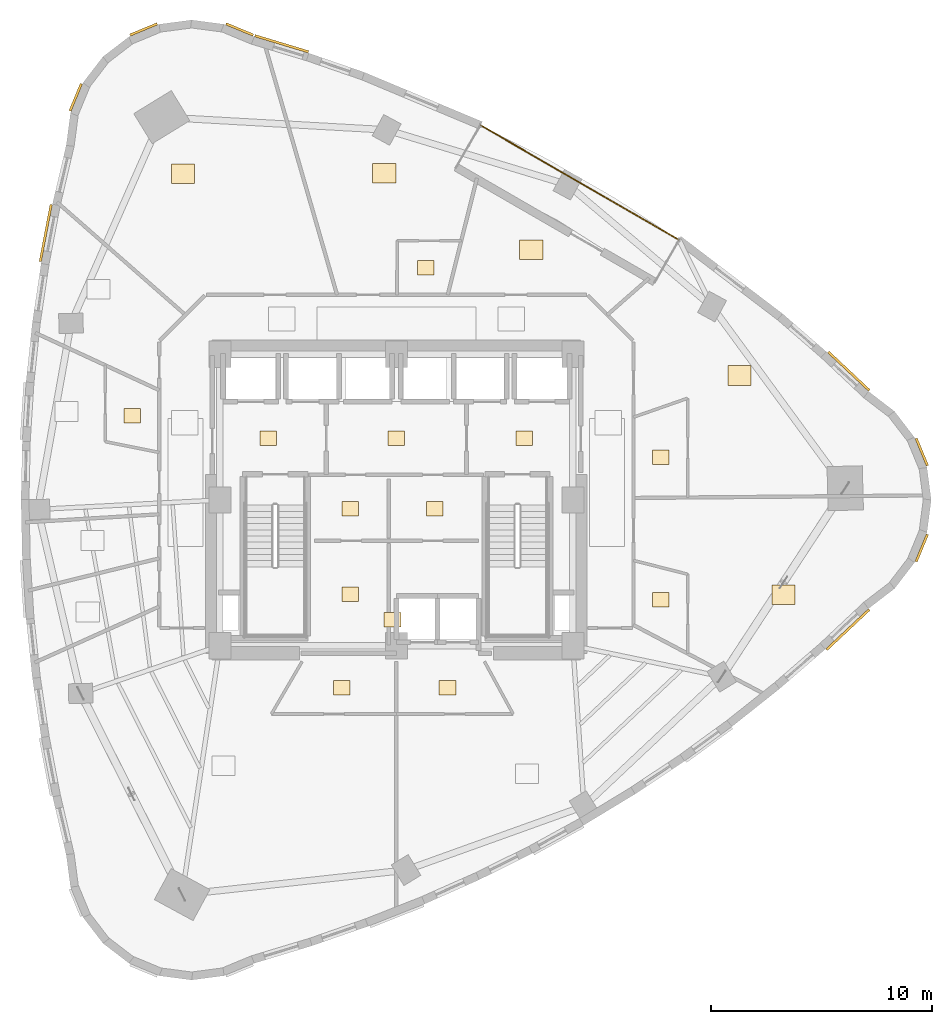
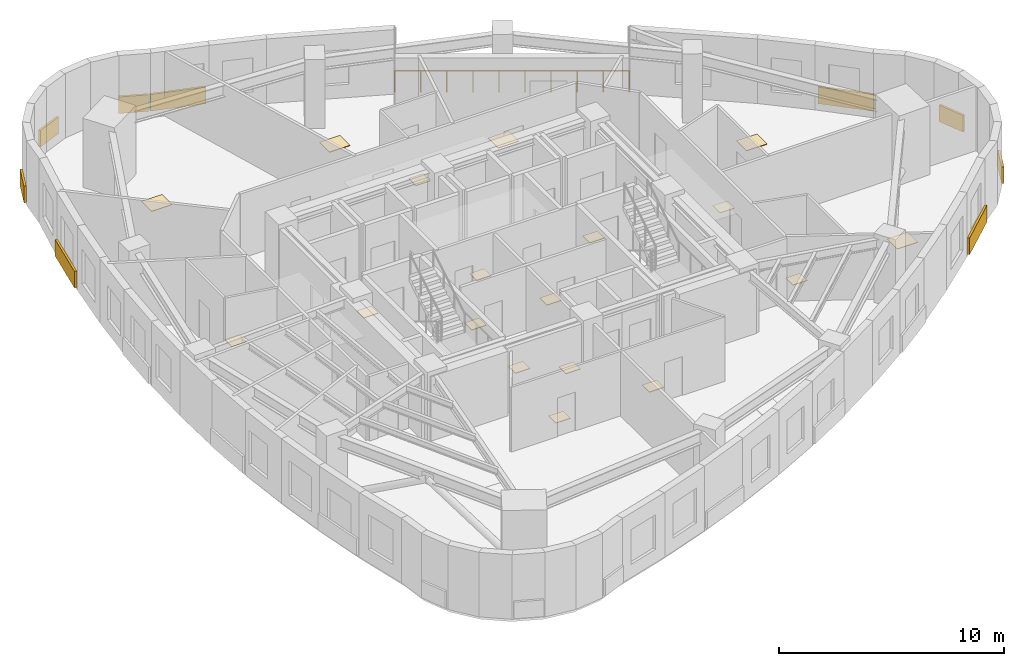
# One storey, part 14 of 14: 27 coverings, 1 railing.
"""IFC4 building model written with IfcOpenShell, lengths in metres."""

import ifcopenshell
import ifcopenshell.guid

model = None  # the IFC model being written
_history = None  # IfcOwnerHistory: only IFC2X3 demands one
_inside = {}  # id of a spatial element -> (the spatial element, [elements in it])
_under = {}  # id of a project, library or spatial element -> (it, [spatial elements below it])
_declared = {}  # id of a project -> (the project, [libraries it declares])
_typed = {}  # id of a type object -> (the type object, [elements of that type])
_made_of = {}  # id of a material, layer set ... -> (it, [elements and type objects made of it])


def new_model(schema):
    """Start an empty IFC model of exactly this schema.

    Asked for "IFC4X3", IfcOpenShell would pick the latest addendum, in which some entities
    have other attributes; the version numbers below select the first issue.
    IFC2X3 requires an IfcOwnerHistory on every rooted entity: one is made here for all.
    """
    global model, _history
    if schema == "IFC4X3":
        model = ifcopenshell.file(schema_version=(4, 3, 0, 0))
    else:
        model = ifcopenshell.file(schema=schema)
    _inside.clear()
    _under.clear()
    _declared.clear()
    _typed.clear()
    _made_of.clear()
    _history = None
    if model.schema == "IFC2X3":
        org = make("IfcOrganization", Name="unknown")
        user = make(
            "IfcPersonAndOrganization",
            ThePerson=make("IfcPerson", FamilyName="unknown"),
            TheOrganization=org,
        )
        app = make(
            "IfcApplication",
            ApplicationDeveloper=org,
            Version="unknown",
            ApplicationFullName="unknown",
            ApplicationIdentifier="unknown",
        )
        _history = make(
            "IfcOwnerHistory",
            OwningUser=user,
            OwningApplication=app,
            ChangeAction="ADDED",
            CreationDate=0,
        )
    return model


def make(cls, **values):
    """One entity of the class cls with the attributes given. An attribute that is None is left unset."""
    return model.create_entity(
        cls, **{name: value for name, value in values.items() if value is not None}
    )


def rooted(cls, **values):
    """An entity with a GlobalId (a new one), such as an element, a storey or a relation."""
    return make(cls, GlobalId=ifcopenshell.guid.new(), OwnerHistory=_history, **values)


def si_unit(unit_type, name, prefix=None):
    """IfcSIUnit, for example si_unit("LENGTHUNIT", "METRE", prefix="MILLI")."""
    return make("IfcSIUnit", UnitType=unit_type, Prefix=prefix, Name=name)


def assignment(units):
    """IfcUnitAssignment: the units of a project."""
    return None if units is None else make("IfcUnitAssignment", Units=units)


def point(xyz):
    """IfcCartesianPoint."""
    return None if xyz is None else make("IfcCartesianPoint", Coordinates=xyz)


def direction(xyz):
    """IfcDirection."""
    return None if xyz is None else make("IfcDirection", DirectionRatios=xyz)


def frame(location, z_axis=None, x_axis=None):
    """IfcAxis2Placement3D, a coordinate frame: its origin and axes. An axis left out is left unset."""
    return make(
        "IfcAxis2Placement3D",
        Location=point(location),
        Axis=direction(z_axis),
        RefDirection=direction(x_axis),
    )


def frame_2d(location, x_axis=None):
    """IfcAxis2Placement2D, a coordinate frame in the plane: its origin and x axis."""
    return make(
        "IfcAxis2Placement2D", Location=point(location), RefDirection=direction(x_axis)
    )


def origin():
    """The frame at (0, 0, 0) with its axes left unset."""
    return frame((0.0, 0.0, 0.0))


def origin_2d():
    """The frame at (0, 0) in the plane with its x axis left unset."""
    return frame_2d((0.0, 0.0))


def place(relative_to, where):
    """IfcLocalPlacement: puts the frame where relative to a parent placement (None: the world)."""
    return make(
        "IfcLocalPlacement", PlacementRelTo=relative_to, RelativePlacement=where
    )


def context(
    kind, dimensions, precision=None, world=None, true_north=None, identifier=None
):
    """IfcGeometricRepresentationContext, for example the 3D "Model" context."""
    return make(
        "IfcGeometricRepresentationContext",
        ContextIdentifier=identifier,
        ContextType=kind,
        CoordinateSpaceDimension=dimensions,
        Precision=precision,
        WorldCoordinateSystem=world,
        TrueNorth=true_north,
    )


def subcontext(parent, identifier, kind, view, scale=None):
    """IfcGeometricRepresentationSubContext, for example "Body" below "Model"."""
    return make(
        "IfcGeometricRepresentationSubContext",
        ContextIdentifier=identifier,
        ContextType=kind,
        ParentContext=parent,
        TargetScale=scale,
        TargetView=view,
    )


def project(units=None, contexts=None):
    """IfcProject with its units and contexts."""
    return rooted(
        "IfcProject",
        Name="project",
        RepresentationContexts=contexts,
        UnitsInContext=assignment(units),
    )


def spatial(cls, under=None, at=None, **own):
    """A site, building, storey or space (cls), placed at a placement, below another one or the project."""
    s = rooted(cls, ObjectPlacement=at, **own)
    if under is not None:
        _under.setdefault(under.id(), (under, []))[1].append(s)
    return s


def profile(cls, at=None, kind="AREA", **sizes):
    """A parametric profile (cls). Its sizes go by their IFC names, for example OverallWidth=200.0."""
    return make(cls, ProfileType=kind, Position=at, **sizes)


def rectangle(**sizes):
    """IfcRectangleProfileDef."""
    return profile("IfcRectangleProfileDef", **sizes)


def circle(**sizes):
    """IfcCircleProfileDef."""
    return profile("IfcCircleProfileDef", **sizes)


def extrude(swept, where, along, depth):
    """IfcExtrudedAreaSolid: the profile swept, set in the frame where, extruded along a direction by depth."""
    return make(
        "IfcExtrudedAreaSolid",
        SweptArea=swept,
        Position=where,
        ExtrudedDirection=direction(along),
        Depth=depth,
    )


def shape(context_of_items, identifier, shape_type, items):
    """IfcShapeRepresentation: the items that make up one representation, for example the "Body"."""
    return make(
        "IfcShapeRepresentation",
        ContextOfItems=context_of_items,
        RepresentationIdentifier=identifier,
        RepresentationType=shape_type,
        Items=items,
    )


def material(Name=None, Category=None):
    """IfcMaterial."""
    return make("IfcMaterial", Name=Name, Category=Category)


def layer(
    of_material, thickness, ventilated=None, Name=None, Category=None, Priority=None
):
    """IfcMaterialLayer: one layer of a wall or slab, of a material (None: an air gap)."""
    return make(
        "IfcMaterialLayer",
        Material=of_material,
        LayerThickness=thickness,
        IsVentilated=ventilated,
        Name=Name,
        Category=Category,
        Priority=Priority,
    )


def layer_set(layers, Name=None):
    """IfcMaterialLayerSet."""
    return make("IfcMaterialLayerSet", MaterialLayers=layers, LayerSetName=Name)


def made_of(thing, what):
    """Note that an element or type object is made of a material, layer set ...; save() writes the relation."""
    if what is not None:
        _made_of.setdefault(what.id(), (what, []))[1].append(thing)
    return thing


def type_object(cls, material=None, **own):
    """A type object (cls), such as IfcWallType, which elements share."""
    return made_of(rooted(cls, **own), material)


def element(
    cls,
    number,
    at=None,
    inside=None,
    cuts=None,
    type_object=None,
    material=None,
    context=None,
    identifier="Body",
    shape_type=None,
    held_by="IfcProductDefinitionShape",
    body=None,
    shapes=None,
    **own,
):
    """One element of the class cls, such as IfcWall. Its Tag is "e" and its number.

    at: its placement. inside: the storey or other place that contains it. cuts: it is an
    opening in that element (IfcRelVoidsElement). A single representation is given by context,
    identifier, shape_type and body (its items); several are given by shapes. held_by: the class
    of the entity that holds the representations. save() writes the other relations.
    """
    e = rooted(cls, Tag="e%d" % number, ObjectPlacement=at, **own)
    if body is not None:
        shapes = [shape(context, identifier, shape_type, body)]
    if shapes is not None:
        e.Representation = make(held_by, Representations=shapes)
    if inside is not None:
        _inside.setdefault(inside.id(), (inside, []))[1].append(e)
    if cuts is not None:
        rooted(
            "IfcRelVoidsElement", RelatingBuildingElement=cuts, RelatedOpeningElement=e
        )
    if type_object is not None:
        _typed.setdefault(type_object.id(), (type_object, []))[1].append(e)
    return made_of(e, material)


def aggregate(whole, parts):
    """IfcRelAggregates: a whole, such as a stair, and the parts it consists of."""
    return rooted("IfcRelAggregates", RelatingObject=whole, RelatedObjects=parts)


def save(model, path):
    """Write the relations noted so far, then the file.

    IfcRelAggregates (storeys below a building ...), IfcRelContainedInSpatialStructure (elements
    in a storey), IfcRelDefinesByType, IfcRelAssociatesMaterial and IfcRelDeclares: one each for
    every whole, place, type object, material and project.
    """
    for whole, parts in _under.values():
        aggregate(whole, parts)
    for where, things in _inside.values():
        rooted(
            "IfcRelContainedInSpatialStructure",
            RelatedElements=things,
            RelatingStructure=where,
        )
    for kind, things in _typed.values():
        rooted("IfcRelDefinesByType", RelatedObjects=things, RelatingType=kind)
    for what, things in _made_of.values():
        rooted("IfcRelAssociatesMaterial", RelatedObjects=things, RelatingMaterial=what)
    for by, libraries in _declared.values():
        rooted("IfcRelDeclares", RelatingContext=by, RelatedDefinitions=libraries)
    model.write(path)


model = new_model("IFC4")

# Units and contexts
model_context = context("Model", 3, precision=1e-05, world=origin(), true_north=direction((0.0, 1.0)))
body_context = subcontext(model_context, "Body", "Model", "MODEL_VIEW")
ifc_project = project(units=[si_unit("LENGTHUNIT", "METRE"), si_unit("AREAUNIT", "SQUARE_METRE"), si_unit("VOLUMEUNIT", "CUBIC_METRE"), si_unit("PLANEANGLEUNIT", "RADIAN"), si_unit("MASSUNIT", "GRAM", prefix="KILO")], contexts=[model_context])

# Site, building, storey
site_placement = place(None, origin())
site = spatial("IfcSite", under=ifc_project, at=site_placement, CompositionType="ELEMENT")
building_placement = place(site_placement, origin())
building = spatial("IfcBuilding", under=site, at=building_placement, Name="Ndelora Gate Hotel", CompositionType="ELEMENT")
storey_placement = place(building_placement, frame((0.0, 0.0, 119.75)))
storey = spatial("IfcBuildingStorey", under=building, at=storey_placement, Name="L29", CompositionType="ELEMENT", Elevation=119.75)

# Coverings
ifc_material_1 = material(Name="Terracotta Fired Clay Brick Slip Cladding", Category="masonry")
ifc_layer_1 = layer(ifc_material_1, 0.110107421875)
ifc_layer_set_1 = layer_set([ifc_layer_1], Name="Terracotta Fired Clay Brick Slip Cladding")
covering_type_1 = type_object("IfcCoveringType", Name="COV-CLAD-BRK", PredefinedType="CLADDING", material=ifc_layer_set_1)
for number, where, z_axis, x_axis, name in (
    (1, (-7.104248046875, 21.327392578125, 0.10009765625), (0.0, 0.0, 1.0), (-0.923879532511, 0.382683432365, 0.0), "L29 Rounded-Corner Brick Cladding Band 1"),
    (2, (-11.456298828125, 21.327392578125, 0.10009765625), (0.0, 0.0, 1.0), (0.923879532511, 0.382683432365, 0.0), "L29 Rounded-Corner Brick Cladding Band 4"),
    (3, (-14.53369140625, 18.249755859375, 0.10009765625), (0.0, 0.0, 1.0), (0.382683432365, 0.923879532511, 0.0), "L29 Rounded-Corner Brick Cladding Band 7"),
):
    element("IfcCovering", number, at=place(storey_placement, frame(where, z_axis=z_axis, x_axis=x_axis)), inside=storey, type_object=covering_type_1, Name=name, PredefinedType="CLADDING", context=body_context, shape_type="SweptSolid", body=[
        extrude(rectangle(XDim=1.3359375, YDim=0.110107421875, at=origin_2d()), origin(), (0.0, 0.0, 1.0), 0.89990234375),
    ])
covering_1_placement = place(storey_placement, frame((-15.89208984375, 12.09912109375, 0.10009765625), z_axis=(0.0, 0.0, 1.0), x_axis=(0.187895613278, 0.982189003456, 0.0)))
element("IfcCovering", 4, at=covering_1_placement, inside=storey, type_object=covering_type_1, Name="L29 Rounded-Corner Brick Cladding Band 10", PredefinedType="CLADDING", context=body_context, shape_type="SweptSolid", body=[
    extrude(rectangle(XDim=2.6279296875, YDim=0.110107421875, at=origin_2d()), origin(), (0.0, 0.0, 1.0), 0.89990234375),
])
covering_2_placement = place(storey_placement, frame((20.466552734375, -5.87451171875, 0.10009765625), z_axis=(0.0, 0.0, 1.0), x_axis=(0.729446353773, 0.684038023042, 0.0)))
element("IfcCovering", 5, at=covering_2_placement, inside=storey, type_object=covering_type_1, Name="L29 Rounded-Corner Brick Cladding Band 40", PredefinedType="CLADDING", context=body_context, shape_type="SweptSolid", body=[
    extrude(rectangle(XDim=2.65087890625, YDim=0.110107421875, at=origin_2d()), origin(), (0.0, 0.0, 1.0), 0.89990234375),
])
for number, where, z_axis, x_axis, name in (
    (6, (23.81396484375, -2.176025390625, 0.10009765625), (0.0, 0.0, 1.0), (0.382683432365, 0.923879532511, 0.0), "L29 Rounded-Corner Brick Cladding Band 43"),
    (7, (23.81396484375, 2.176025390625, 0.10009765625), (0.0, 0.0, 1.0), (-0.382683432365, 0.923879532511, 0.0), "L29 Rounded-Corner Brick Cladding Band 46"),
):
    element("IfcCovering", number, at=place(storey_placement, frame(where, z_axis=z_axis, x_axis=x_axis)), inside=storey, type_object=covering_type_1, Name=name, PredefinedType="CLADDING", context=body_context, shape_type="SweptSolid", body=[
        extrude(rectangle(XDim=1.3359375, YDim=0.110107421875, at=origin_2d()), origin(), (0.0, 0.0, 1.0), 0.89990234375),
    ])
for number, where, z_axis, x_axis, name in (
    (8, (20.507568359375, 5.837646484375, 0.10009765625), (0.0, 0.0, 1.0), (-0.72884914031, 0.684674324529, 0.0), "L29 Rounded-Corner Brick Cladding Band 49"),
    (9, (-5.1982421875, 20.6787109375, 0.10009765625), (0.0, 0.0, 1.0), (-0.957369928516, 0.288864708771, 0.0), "L29 Rounded-Corner Brick Cladding Band 58"),
):
    element("IfcCovering", number, at=place(storey_placement, frame(where, z_axis=z_axis, x_axis=x_axis)), inside=storey, type_object=covering_type_1, Name=name, PredefinedType="CLADDING", context=body_context, shape_type="SweptSolid", body=[
        extrude(rectangle(XDim=2.5419921875, YDim=0.110107421875, at=origin_2d()), origin(), (0.0, 0.0, 1.0), 0.89990234375),
    ])
ifc_material_2 = material(Name="Engineered Highland Oak Parquet", Category="wood")
ifc_layer_2 = layer(ifc_material_2, 0.030029296875)
ifc_layer_set_2 = layer_set([ifc_layer_2], Name="Engineered Highland Oak Parquet")
covering_type_2 = type_object("IfcCoveringType", Name="COV-FLR-PARQ", PredefinedType="FLOORING", material=ifc_layer_set_2)
for number, where, z_axis, x_axis, name in (
    (10, (17.547119140625, -4.2958984375, 0.0), (0.0, 0.0, 1.0), (1.0, 0.0, 0.0), "L29 Club Twin Junior Suite 3203 Oak Parquet Flooring"),
    (11, (15.55517578125, 5.637939453125, 0.0), (0.0, 0.0, 1.0), (1.0, 0.0, 0.0), "L29 Grand Club Suite 3204 Oak Parquet Flooring"),
    (12, (6.1103515625, 11.340087890625, 0.0), (0.0, 0.0, 1.0), (1.0, 0.0, 0.0), "L29 Sky Garden Tea Dining Room Oak Parquet Flooring"),
    (13, (-0.545654296875, 14.807861328125, 0.0), (0.0, 0.0, 1.0), (1.0, 0.0, 0.0), "L29 Club Executive Suite 3205 Oak Parquet Flooring"),
    (14, (-9.677490234375, 14.789794921875, 0.0), (0.0, 0.0, 1.0), (1.0, 0.0, 0.0), "L29 Private Club Dining Room Oak Parquet Flooring"),
):
    element("IfcCovering", number, at=place(storey_placement, frame(where, z_axis=z_axis, x_axis=x_axis)), inside=storey, type_object=covering_type_2, Name=name, PredefinedType="FLOORING", context=body_context, shape_type="SweptSolid", body=[
        extrude(rectangle(XDim=1.050048828125, YDim=0.89990234375, at=origin_2d()), origin(), (0.0, 0.0, 1.0), 0.030029296875),
    ])
ifc_material_3 = material(Name="Non-Slip Porcelain Wet-Room Tile", Category="ceramic")
ifc_layer_3 = layer(ifc_material_3, 0.02490234375)
ifc_layer_set_3 = layer_set([ifc_layer_3], Name="Non-Slip Porcelain Wet-Room Tile")
covering_type_3 = type_object("IfcCoveringType", Name="COV-FLR-TILE", PredefinedType="FLOORING", material=ifc_layer_set_3)
for number, where, z_axis, x_axis, name in (
    (15, (-5.800048828125, 2.800048828125, 0.0), (0.0, 0.0, 1.0), (1.0, 0.0, 0.0), "L29 Firefighting Lift Lobby West Porcelain Tile Flooring"),
    (16, (5.800048828125, 2.800048828125, 0.0), (0.0, 0.0, 1.0), (1.0, 0.0, 0.0), "L29 Firefighting Lift Lobby East Porcelain Tile Flooring"),
    (17, (0.0, 2.800048828125, 0.0), (0.0, 0.0, 1.0), (1.0, 0.0, 0.0), "L29 Central Passenger Lift Lobby Porcelain Tile Flooring"),
    (18, (-2.10009765625, -0.39990234375, 0.0), (0.0, 0.0, 1.0), (1.0, 0.0, 0.0), "L29 Core Electrical Closet Porcelain Tile Flooring"),
    (19, (1.75, -0.39990234375, 0.0), (0.0, 0.0, 1.0), (1.0, 0.0, 0.0), "L29 Comms Patching Store Porcelain Tile Flooring"),
    (20, (-2.10009765625, -4.27490234375, 0.0), (0.0, 0.0, 1.0), (1.0, 0.0, 0.0), "L29 Valet Laundry Store Porcelain Tile Flooring"),
    (21, (-0.175048828125, -5.429931640625, 0.0), (0.0, 0.0, 1.0), (1.0, 0.0, 0.0), "L29 Housekeeping Reserve Store Porcelain Tile Flooring"),
    (22, (-2.47998046875, -8.510009765625, 0.0), (0.0, 0.0, 1.0), (1.0, 0.0, 0.0), "L29 En-suite Bathroom 3201 Porcelain Tile Flooring"),
    (23, (2.318359375, -8.510009765625, 0.0), (0.0, 0.0, 1.0), (1.0, 0.0, 0.0), "L29 En-suite Bathroom 3202 Porcelain Tile Flooring"),
    (24, (11.97509765625, -4.519775390625, 0.0), (0.0, 0.0, 1.0), (1.0, 0.0, 0.0), "L29 En-suite Bathroom 3203 Porcelain Tile Flooring"),
    (25, (11.97509765625, 1.939697265625, 0.0), (0.0, 0.0, 1.0), (1.0, 0.0, 0.0), "L29 En-suite Bathroom 3204 Porcelain Tile Flooring"),
    (26, (1.333740234375, 10.52490234375, 0.0), (0.0, 0.0, 1.0), (1.0, 0.0, 0.0), "L29 En-suite Bathroom 3205 Porcelain Tile Flooring"),
    (27, (-11.97509765625, 3.8154296875, 0.0), (0.0, 0.0, 1.0), (1.0, 0.0, 0.0), "L29 En-suite Bathroom 3206 Porcelain Tile Flooring"),
):
    element("IfcCovering", number, at=place(storey_placement, frame(where, z_axis=z_axis, x_axis=x_axis)), inside=storey, type_object=covering_type_3, Name=name, PredefinedType="FLOORING", context=body_context, shape_type="SweptSolid", body=[
        extrude(rectangle(XDim=0.75, YDim=0.64990234375, at=origin_2d()), origin(), (0.0, 0.0, 1.0), 0.02490234375),
    ])

# Railing
ifc_material_4 = material(Name="Laminated Safety Glass and Bronze Top Rail", Category="glass")
ifc_layer_4 = layer(ifc_material_4, 0.070068359375)
ifc_layer_set_4 = layer_set([ifc_layer_4], Name="Laminated Safety Glass and Bronze Top Rail")
railing_type = type_object("IfcRailingType", Name="RL-BAL-1150", PredefinedType="BALUSTRADE", material=ifc_layer_set_4)
railing_placement = place(storey_placement, frame((12.81103515625, 11.78955078125, 0.0)))
element("IfcRailing", 28, at=railing_placement, inside=storey, type_object=railing_type, Name="L29 Sky-Garden Loggia Terrace Balustrade", PredefinedType="BALUSTRADE", context=body_context, shape_type="SweptSolid", body=[
    extrude(circle(Radius=0.02392578125, at=origin_2d()), frame((0.0, 0.0, 1.1357421875), z_axis=(-0.866025696342, 0.499999493275, 0.0), x_axis=(-0.499999493275, -0.866025696342, 0.0)), (0.0, 0.0, 1.0), 10.39990234375),
    extrude(circle(Radius=0.02099609375, at=origin_2d()), origin(), (0.0, 0.0, 1.0), 1.11181640625),
    extrude(circle(Radius=0.02099609375, at=origin_2d()), frame((-1.000732421875, 0.577880859375, 0.0)), (0.0, 0.0, 1.0), 1.11181640625),
    extrude(circle(Radius=0.02099609375, at=origin_2d()), frame((-2.00146484375, 1.155517578125, 0.0)), (0.0, 0.0, 1.0), 1.11181640625),
    extrude(circle(Radius=0.02099609375, at=origin_2d()), frame((-3.002197265625, 1.7333984375, 0.0)), (0.0, 0.0, 1.0), 1.11181640625),
    extrude(circle(Radius=0.02099609375, at=origin_2d()), frame((-4.0029296875, 2.31103515625, 0.0)), (0.0, 0.0, 1.0), 1.11181640625),
    extrude(circle(Radius=0.02099609375, at=origin_2d()), frame((-5.003662109375, 2.888916015625, 0.0)), (0.0, 0.0, 1.0), 1.11181640625),
    extrude(circle(Radius=0.02099609375, at=origin_2d()), frame((-6.00439453125, 3.466552734375, 0.0)), (0.0, 0.0, 1.0), 1.11181640625),
    extrude(circle(Radius=0.02099609375, at=origin_2d()), frame((-7.005126953125, 4.04443359375, 0.0)), (0.0, 0.0, 1.0), 1.11181640625),
    extrude(circle(Radius=0.02099609375, at=origin_2d()), frame((-8.005859375, 4.6220703125, 0.0)), (0.0, 0.0, 1.0), 1.11181640625),
    extrude(circle(Radius=0.02099609375, at=origin_2d()), frame((-9.006591796875, 5.199951171875, 0.0)), (0.0, 0.0, 1.0), 1.11181640625),
])

save(model, "model.ifc")
